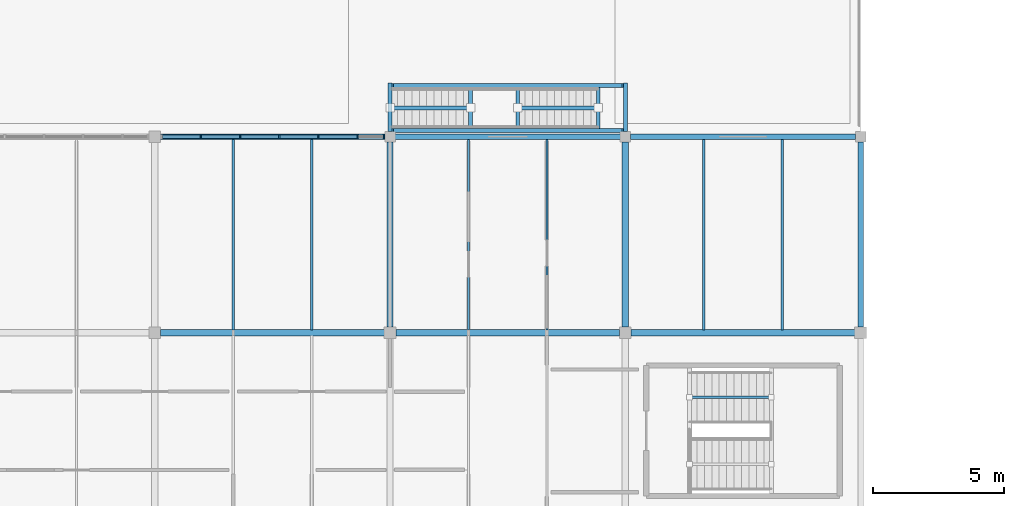
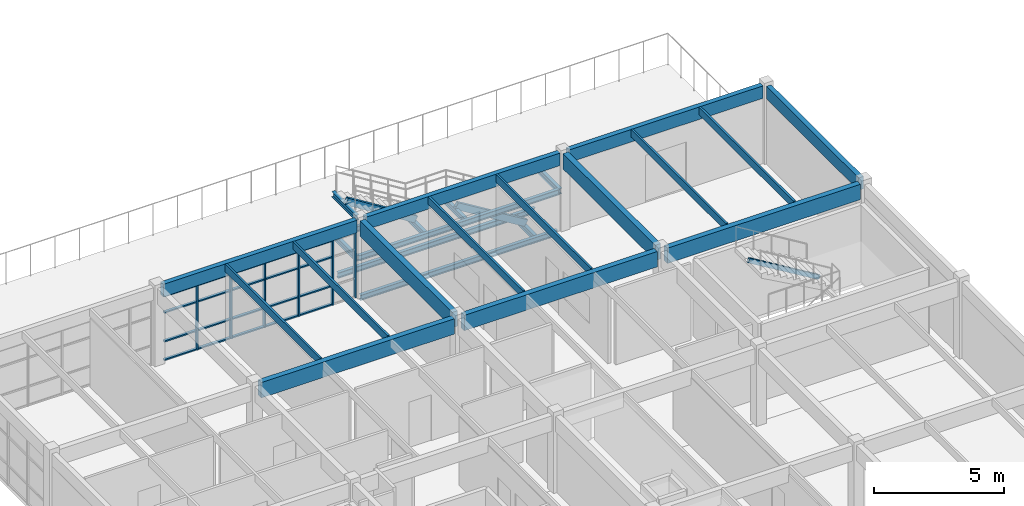
# One storey, part 20 of 45: 29 members, 25 beams, 1 element without a shape of its own.
"""IFC4 building model written with IfcOpenShell, lengths in metres."""

from ifc_helpers import new_model, si_unit, direction, frame, origin, origin_2d, place, context, subcontext, project, spatial, rectangle, hollow_rectangle, i_section, extrude, material, layer, layer_set, material_profile, profile_set, type_object, element, aggregate, save


model = new_model("IFC4")

# Units and contexts
model_context = context("Model", 3, precision=1e-05, world=origin(), true_north=direction((0.0, 1.0)))
body_context = subcontext(model_context, "Body", "Model", "MODEL_VIEW")
ifc_project = project(units=[si_unit("LENGTHUNIT", "METRE"), si_unit("AREAUNIT", "SQUARE_METRE"), si_unit("VOLUMEUNIT", "CUBIC_METRE"), si_unit("PLANEANGLEUNIT", "RADIAN"), si_unit("MASSUNIT", "GRAM", prefix="KILO")], contexts=[model_context])

# Site, building, storey
site_placement = place(None, origin())
site = spatial("IfcSite", under=ifc_project, at=site_placement, CompositionType="ELEMENT")
building_placement = place(site_placement, origin())
building = spatial("IfcBuilding", under=site, at=building_placement, Name="Marnridge Secondary College", CompositionType="ELEMENT")
storey_placement = place(building_placement, frame((0.0, 0.0, 12.300048828125)))
storey = spatial("IfcBuildingStorey", under=building, at=storey_placement, Name="L03", CompositionType="ELEMENT", Elevation=12.300048828125)

# Beams
ifc_material_1 = material(Name="Glulam timber GL18", Category="wood")
ifc_material_profile_1 = material_profile(ifc_material_1, rectangle(XDim=0.215087890625, YDim=0.5849609375, at=origin_2d()), Name="GL18 215x585")
ifc_profile_set_1 = profile_set([ifc_material_profile_1], Name="Glulam timber GL18")
beam_type_1 = type_object("IfcBeamType", Name="BM-GL585-EXT", PredefinedType="SPANDREL", material=ifc_profile_set_1)
beam_1_placement = place(storey_placement, frame((63.218994140625, 75.0, 3.347412109375), z_axis=(1.0, 0.0, 0.0), x_axis=(0.0, 1.0, 0.0)))
element("IfcBeam", 1, at=beam_1_placement, inside=storey, type_object=beam_type_1, Name="Beam BS-L03-1072", PredefinedType="SPANDREL", context=body_context, shape_type="SweptSolid", body=[
    extrude(rectangle(XDim=0.215087890625, YDim=0.5849609375, at=origin_2d()), origin(), (0.0, 0.0, 1.0), 8.5869140625),
])
for number, where, z_axis, x_axis, name in (
    (2, (72.194091796875, 75.0, 3.347412109375), (1.0, 0.0, 0.0), (0.0, 1.0, 0.0), "Beam BS-L03-1074"),
    (3, (81.194091796875, 75.0, 3.347412109375), (1.0, 0.0, 0.0), (0.0, 1.0, 0.0), "Beam BS-L03-1076"),
):
    element("IfcBeam", number, at=place(storey_placement, frame(where, z_axis=z_axis, x_axis=x_axis)), inside=storey, type_object=beam_type_1, Name=name, PredefinedType="SPANDREL", context=body_context, shape_type="SweptSolid", body=[
        extrude(rectangle(XDim=0.215087890625, YDim=0.5849609375, at=origin_2d()), origin(), (0.0, 0.0, 1.0), 8.61181640625),
    ])
beam_2_placement = place(storey_placement, frame((90.0, 67.718994140625, 3.347412109375), z_axis=(0.0, 1.0, 0.0), x_axis=(-1.0, 0.0, 0.0)))
element("IfcBeam", 4, at=beam_2_placement, inside=storey, type_object=beam_type_1, Name="Beam BS-L03-1077", PredefinedType="SPANDREL", context=body_context, shape_type="SweptSolid", body=[
    extrude(rectangle(XDim=0.215087890625, YDim=0.5849609375, at=origin_2d()), origin(), (0.0, 0.0, 1.0), 7.0869140625),
])
ifc_material_2 = material(Name="Glulam timber GL18", Category="wood")
ifc_material_profile_2 = material_profile(ifc_material_2, rectangle(XDim=0.239990234375, YDim=0.719970703125, at=origin_2d()), Name="GL18 240x720")
ifc_profile_set_2 = profile_set([ifc_material_profile_2], Name="Glulam timber GL18")
beam_type_2 = type_object("IfcBeamType", Name="BM-GL720-INT", PredefinedType="BEAM", material=ifc_profile_set_2)
for number, where, z_axis, x_axis, name in (
    (5, (63.218994140625, 67.5, 3.22998046875), (1.0, 0.0, 0.0), (0.0, 1.0, 0.0), "Beam B-L03-1052"),
    (6, (72.218994140625, 67.5, 3.22998046875), (1.0, 0.0, 0.0), (0.0, 1.0, 0.0), "Beam B-L03-1057"),
    (7, (81.218994140625, 67.5, 3.22998046875), (1.0, 0.0, 0.0), (0.0, 1.0, 0.0), "Beam B-L03-1062"),
):
    element("IfcBeam", number, at=place(storey_placement, frame(where, z_axis=z_axis, x_axis=x_axis)), inside=storey, type_object=beam_type_2, Name=name, PredefinedType="BEAM", context=body_context, shape_type="SweptSolid", body=[
        extrude(rectangle(XDim=0.239990234375, YDim=0.719970703125, at=origin_2d()), origin(), (0.0, 0.0, 1.0), 8.56201171875),
    ])
for number, where, z_axis, x_axis, name in (
    (8, (72.0, 67.718994140625, 3.280029296875), (0.0, 1.0, 0.0), (-1.0, 0.0, 0.0), "Beam B-L03-1073"),
    (9, (81.0, 67.718994140625, 3.280029296875), (0.0, 1.0, 0.0), (-1.0, 0.0, 0.0), "Beam B-L03-1075"),
):
    element("IfcBeam", number, at=place(storey_placement, frame(where, z_axis=z_axis, x_axis=x_axis)), inside=storey, type_object=beam_type_2, Name=name, PredefinedType="BEAM", context=body_context, shape_type="SweptSolid", body=[
        extrude(rectangle(XDim=0.239990234375, YDim=0.719970703125, at=origin_2d()), origin(), (0.0, 0.0, 1.0), 7.0869140625),
    ])
ifc_material_3 = material(Name="Engineered timber LVL E13.2", Category="wood")
ifc_material_profile_3 = material_profile(ifc_material_3, rectangle(XDim=0.090087890625, YDim=0.360107421875, at=origin_2d()), Name="LVL 90x360")
ifc_profile_set_3 = profile_set([ifc_material_profile_3], Name="Engineered timber LVL E13.2")
beam_type_3 = type_object("IfcBeamType", Name="BM-LVL360-INT", PredefinedType="JOIST", material=ifc_profile_set_3)
for number, where, z_axis, x_axis, name in (
    (10, (66.0, 67.614013671875, 3.4599609375), (0.0, 1.0, 0.0), (-1.0, 0.0, 0.0), "Beam BJ-L03-1099"),
    (11, (69.0, 67.614013671875, 3.4599609375), (0.0, 1.0, 0.0), (-1.0, 0.0, 0.0), "Beam BJ-L03-1100"),
    (12, (75.0, 67.614013671875, 3.4599609375), (0.0, 1.0, 0.0), (-1.0, 0.0, 0.0), "Beam BJ-L03-1101"),
    (13, (78.0, 67.614013671875, 3.4599609375), (0.0, 1.0, 0.0), (-1.0, 0.0, 0.0), "Beam BJ-L03-1102"),
    (14, (84.0, 67.614013671875, 3.4599609375), (0.0, 1.0, 0.0), (-1.0, 0.0, 0.0), "Beam BJ-L03-1103"),
    (15, (87.0, 67.614013671875, 3.4599609375), (0.0, 1.0, 0.0), (-1.0, 0.0, 0.0), "Beam BJ-L03-1104"),
):
    element("IfcBeam", number, at=place(storey_placement, frame(where, z_axis=z_axis, x_axis=x_axis)), inside=storey, type_object=beam_type_3, Name=name, PredefinedType="JOIST", context=body_context, shape_type="SweptSolid", body=[
        extrude(rectangle(XDim=0.090087890625, YDim=0.360107421875, at=origin_2d()), origin(), (0.0, 0.0, 1.0), 7.284423828125),
    ])
ifc_material_4 = material(Name="Structural steel Grade 350 (AS/NZS 3679.1/.2, fy = 340-360 MPa)", Category="steel")
ifc_material_profile_4 = material_profile(ifc_material_4, i_section(OverallWidth=0.146240234375, OverallDepth=0.256103515625, WebThickness=0.00634765625, FlangeThickness=0.010986328125, FilletRadius=0.0087890625, at=origin_2d()), Name="250UB37.3")
ifc_profile_set_4 = profile_set([ifc_material_profile_4], Name="Structural steel Grade 350 (AS/NZS 3679.1/.2, fy = 340-360 MPa)")
beam_type_4 = type_object("IfcBeamType", Name="BM-UB250-EXT", PredefinedType="LINTEL", material=ifc_profile_set_4)
for number, where, z_axis, x_axis, name in (
    (16, (72.0, 75.199462890625, 1.592041015625), (0.0, 1.0, 0.0), (-1.0, 0.0, 0.0), "Exterior stair outrigger bracket BZ-L03-073"),
    (17, (81.0, 75.199462890625, 1.592041015625), (0.0, 1.0, 0.0), (-1.0, 0.0, 0.0), "Exterior stair outrigger bracket BZ-L03-074"),
):
    element("IfcBeam", number, at=place(storey_placement, frame(where, z_axis=z_axis, x_axis=x_axis)), inside=storey, type_object=beam_type_4, Name=name, PredefinedType="LINTEL", context=body_context, shape_type="SweptSolid", body=[
        extrude(i_section(OverallWidth=0.146240234375, OverallDepth=0.256103515625, WebThickness=0.00634765625, FlangeThickness=0.010986328125, FilletRadius=0.0087890625, at=origin_2d()), origin(), (0.0, 0.0, 1.0), 1.8505859375),
    ])
for number, where, z_axis, x_axis, name in (
    (18, (72.072509765625, 75.239990234375, 1.592041015625), (1.0, 0.0, 0.0), (0.0, 1.0, 0.0), "Exterior stair landing beam BZ-L03-075"),
    (19, (72.072509765625, 76.9599609375, 1.592041015625), (1.0, 0.0, 0.0), (0.0, 1.0, 0.0), "Exterior stair landing beam BZ-L03-076"),
):
    element("IfcBeam", number, at=place(storey_placement, frame(where, z_axis=z_axis, x_axis=x_axis)), inside=storey, type_object=beam_type_4, Name=name, PredefinedType="LINTEL", context=body_context, shape_type="SweptSolid", body=[
        extrude(i_section(OverallWidth=0.146240234375, OverallDepth=0.256103515625, WebThickness=0.00634765625, FlangeThickness=0.010986328125, FilletRadius=0.0087890625, at=origin_2d()), origin(), (0.0, 0.0, 1.0), 8.85498046875),
    ])
for number, where, z_axis, x_axis, name in (
    (20, (76.8798828125, 75.3125, 1.592041015625), (0.0, 1.0, 0.0), (-1.0, 0.0, 0.0), "Exterior stair flight end trimmer BZ-L03-077"),
    (21, (75.080078125, 75.3125, 1.592041015625), (0.0, 1.0, 0.0), (-1.0, 0.0, 0.0), "Exterior stair flight end trimmer BZ-L03-078"),
):
    element("IfcBeam", number, at=place(storey_placement, frame(where, z_axis=z_axis, x_axis=x_axis)), inside=storey, type_object=beam_type_4, Name=name, PredefinedType="LINTEL", context=body_context, shape_type="SweptSolid", body=[
        extrude(i_section(OverallWidth=0.146240234375, OverallDepth=0.256103515625, WebThickness=0.00634765625, FlangeThickness=0.010986328125, FilletRadius=0.0087890625, at=origin_2d()), origin(), (0.0, 0.0, 1.0), 1.574951171875),
    ])
for number, where, z_axis, x_axis, name in (
    (22, (72.12939453125, 75.239990234375, -0.2880859375), (1.0, 0.0, 0.0), (0.0, 1.0, 0.0), "Exterior stair landing beam BZ-L03-079"),
    (23, (72.12939453125, 76.9599609375, -0.2880859375), (1.0, 0.0, 0.0), (0.0, 1.0, 0.0), "Exterior stair landing beam BZ-L03-080"),
):
    element("IfcBeam", number, at=place(storey_placement, frame(where, z_axis=z_axis, x_axis=x_axis)), inside=storey, type_object=beam_type_4, Name=name, PredefinedType="LINTEL", context=body_context, shape_type="SweptSolid", body=[
        extrude(i_section(OverallWidth=0.146240234375, OverallDepth=0.256103515625, WebThickness=0.00634765625, FlangeThickness=0.010986328125, FilletRadius=0.0087890625, at=origin_2d()), origin(), (0.0, 0.0, 1.0), 8.7412109375),
    ])
beam_3_placement = place(storey_placement, frame((79.9599609375, 75.3125, -0.2880859375), z_axis=(0.0, 1.0, 0.0), x_axis=(-1.0, 0.0, 0.0)))
element("IfcBeam", 24, at=beam_3_placement, inside=storey, type_object=beam_type_4, Name="Exterior stair flight end trimmer BZ-L03-081", PredefinedType="LINTEL", context=body_context, shape_type="SweptSolid", body=[
    extrude(i_section(OverallWidth=0.146240234375, OverallDepth=0.256103515625, WebThickness=0.00634765625, FlangeThickness=0.010986328125, FilletRadius=0.0087890625, at=origin_2d()), origin(), (0.0, 0.0, 1.0), 1.574951171875),
])
beam_4_placement = place(storey_placement, frame((72.0, 75.199462890625, 3.511962890625), z_axis=(0.0, 1.0, 0.0), x_axis=(-1.0, 0.0, 0.0)))
element("IfcBeam", 25, at=beam_4_placement, inside=storey, type_object=beam_type_4, Name="Exterior stair arrival outrigger BZ-L03-082", PredefinedType="LINTEL", context=body_context, shape_type="SweptSolid", body=[
    extrude(i_section(OverallWidth=0.146240234375, OverallDepth=0.256103515625, WebThickness=0.00634765625, FlangeThickness=0.010986328125, FilletRadius=0.0087890625, at=origin_2d()), origin(), (0.0, 0.0, 1.0), 1.8505859375),
])

# Curtain wall, members
ifc_material_5 = material(Name="Thermally broken aluminium and low-E glazing", Category="aluminium")
ifc_layer = layer(ifc_material_5, 0.159912109375)
ifc_layer_set = layer_set([ifc_layer], Name="CW-MOD-1500")
curtain_wall_type = type_object("IfcCurtainWallType", Name="CW-MOD-1500", PredefinedType="NOTDEFINED", material=ifc_layer_set)
curtain_wall_placement = place(storey_placement, origin())
curtain_wall = element("IfcCurtainWall", 26, at=curtain_wall_placement, inside=storey, type_object=curtain_wall_type, Name="Unitised curtain wall CW-L03-115", PredefinedType="NOTDEFINED")
ifc_material_6 = material(Name="Anodised aluminium 6063-T6", Category="aluminium")
ifc_material_profile_5 = material_profile(ifc_material_6, rectangle(XDim=0.06005859375, YDim=0.159912109375, at=origin_2d()), Name="ALU 60x160")
ifc_profile_set_5 = profile_set([ifc_material_profile_5], Name="Anodised aluminium 6063-T6")
member_type_1 = type_object("IfcMemberType", Name="CWM-ALU160", PredefinedType="MULLION", material=ifc_profile_set_5)
member_1_placement = place(storey_placement, frame((64.759033203125, 75.0, 0.0), z_axis=(0.0, 0.0, 1.0), x_axis=(1.0, 0.0, 0.0)))
member_1 = element("IfcMember", 27, at=member_1_placement, type_object=member_type_1, Name="CW-L03-115 mullion 2", PredefinedType="MULLION", context=body_context, shape_type="SweptSolid", body=[
    extrude(rectangle(XDim=0.06005859375, YDim=0.159912109375, at=origin_2d()), origin(), (0.0, 0.0, 1.0), 3.046875),
])
member_2_placement = place(storey_placement, frame((66.259033203125, 75.0, 0.0), z_axis=(0.0, 0.0, 1.0), x_axis=(1.0, 0.0, 0.0)))
member_2 = element("IfcMember", 28, at=member_2_placement, type_object=member_type_1, Name="CW-L03-115 mullion 3", PredefinedType="MULLION", context=body_context, shape_type="SweptSolid", body=[
    extrude(rectangle(XDim=0.06005859375, YDim=0.159912109375, at=origin_2d()), origin(), (0.0, 0.0, 1.0), 3.046875),
])
member_3_placement = place(storey_placement, frame((67.759033203125, 75.0, 0.0), z_axis=(0.0, 0.0, 1.0), x_axis=(1.0, 0.0, 0.0)))
member_3 = element("IfcMember", 29, at=member_3_placement, type_object=member_type_1, Name="CW-L03-115 mullion 4", PredefinedType="MULLION", context=body_context, shape_type="SweptSolid", body=[
    extrude(rectangle(XDim=0.06005859375, YDim=0.159912109375, at=origin_2d()), origin(), (0.0, 0.0, 1.0), 3.046875),
])
member_4_placement = place(storey_placement, frame((69.259033203125, 75.0, 0.0), z_axis=(0.0, 0.0, 1.0), x_axis=(1.0, 0.0, 0.0)))
member_4 = element("IfcMember", 30, at=member_4_placement, type_object=member_type_1, Name="CW-L03-115 mullion 5", PredefinedType="MULLION", context=body_context, shape_type="SweptSolid", body=[
    extrude(rectangle(XDim=0.06005859375, YDim=0.159912109375, at=origin_2d()), origin(), (0.0, 0.0, 1.0), 3.046875),
])
member_5_placement = place(storey_placement, frame((70.759033203125, 75.0, 0.0), z_axis=(0.0, 0.0, 1.0), x_axis=(1.0, 0.0, 0.0)))
member_5 = element("IfcMember", 31, at=member_5_placement, type_object=member_type_1, Name="CW-L03-115 mullion 6", PredefinedType="MULLION", context=body_context, shape_type="SweptSolid", body=[
    extrude(rectangle(XDim=0.06005859375, YDim=0.159912109375, at=origin_2d()), origin(), (0.0, 0.0, 1.0), 3.046875),
])
member_6_placement = place(storey_placement, frame((71.76611328125, 75.0, 0.0), z_axis=(0.0, 0.0, 1.0), x_axis=(1.0, 0.0, 0.0)))
member_6 = element("IfcMember", 32, at=member_6_placement, type_object=member_type_1, Name="CW-L03-115 mullion 7", PredefinedType="MULLION", context=body_context, shape_type="SweptSolid", body=[
    extrude(rectangle(XDim=0.06005859375, YDim=0.159912109375, at=origin_2d()), origin(), (0.0, 0.0, 1.0), 3.046875),
])
ifc_material_7 = material(Name="Anodised aluminium 6063-T6", Category="aluminium")
ifc_material_profile_6 = material_profile(ifc_material_7, rectangle(XDim=0.06005859375, YDim=0.1201171875, at=origin_2d()), Name="ALU 60x120")
ifc_profile_set_6 = profile_set([ifc_material_profile_6], Name="Anodised aluminium 6063-T6")
member_type_2 = type_object("IfcMemberType", Name="CWT-ALU120", PredefinedType="USERDEFINED", material=ifc_profile_set_6)
member_7_placement = place(storey_placement, frame((63.2890625, 75.0, 0.030029296875), z_axis=(1.0, 0.0, 0.0), x_axis=(0.0, 0.0, 1.0)))
member_7 = element("IfcMember", 33, at=member_7_placement, type_object=member_type_2, Name="CW-L03-115 transom 1.1", ObjectType="TRANSOM", PredefinedType="USERDEFINED", context=body_context, shape_type="SweptSolid", body=[
    extrude(rectangle(XDim=0.06005859375, YDim=0.1201171875, at=origin_2d()), origin(), (0.0, 0.0, 1.0), 1.43994140625),
])
member_8_placement = place(storey_placement, frame((63.2890625, 75.0, 0.89990234375), z_axis=(1.0, 0.0, 0.0), x_axis=(0.0, 0.0, 1.0)))
member_8 = element("IfcMember", 34, at=member_8_placement, type_object=member_type_2, Name="CW-L03-115 transom 1.2", ObjectType="TRANSOM", PredefinedType="USERDEFINED", context=body_context, shape_type="SweptSolid", body=[
    extrude(rectangle(XDim=0.06005859375, YDim=0.1201171875, at=origin_2d()), origin(), (0.0, 0.0, 1.0), 1.43994140625),
])
member_9_placement = place(storey_placement, frame((63.2890625, 75.0, 2.25), z_axis=(1.0, 0.0, 0.0), x_axis=(0.0, 0.0, 1.0)))
member_9 = element("IfcMember", 35, at=member_9_placement, type_object=member_type_2, Name="CW-L03-115 transom 1.3", ObjectType="TRANSOM", PredefinedType="USERDEFINED", context=body_context, shape_type="SweptSolid", body=[
    extrude(rectangle(XDim=0.06005859375, YDim=0.1201171875, at=origin_2d()), origin(), (0.0, 0.0, 1.0), 1.43994140625),
])
member_10_placement = place(storey_placement, frame((63.2890625, 75.0, 3.016845703125), z_axis=(1.0, 0.0, 0.0), x_axis=(0.0, 0.0, 1.0)))
member_10 = element("IfcMember", 36, at=member_10_placement, type_object=member_type_2, Name="CW-L03-115 transom 1.4", ObjectType="TRANSOM", PredefinedType="USERDEFINED", context=body_context, shape_type="SweptSolid", body=[
    extrude(rectangle(XDim=0.06005859375, YDim=0.1201171875, at=origin_2d()), origin(), (0.0, 0.0, 1.0), 1.43994140625),
])
member_11_placement = place(storey_placement, frame((64.7890625, 75.0, 0.030029296875), z_axis=(1.0, 0.0, 0.0), x_axis=(0.0, 0.0, 1.0)))
member_11 = element("IfcMember", 37, at=member_11_placement, type_object=member_type_2, Name="CW-L03-115 transom 2.1", ObjectType="TRANSOM", PredefinedType="USERDEFINED", context=body_context, shape_type="SweptSolid", body=[
    extrude(rectangle(XDim=0.06005859375, YDim=0.1201171875, at=origin_2d()), origin(), (0.0, 0.0, 1.0), 1.43994140625),
])
member_12_placement = place(storey_placement, frame((64.7890625, 75.0, 0.89990234375), z_axis=(1.0, 0.0, 0.0), x_axis=(0.0, 0.0, 1.0)))
member_12 = element("IfcMember", 38, at=member_12_placement, type_object=member_type_2, Name="CW-L03-115 transom 2.2", ObjectType="TRANSOM", PredefinedType="USERDEFINED", context=body_context, shape_type="SweptSolid", body=[
    extrude(rectangle(XDim=0.06005859375, YDim=0.1201171875, at=origin_2d()), origin(), (0.0, 0.0, 1.0), 1.43994140625),
])
member_13_placement = place(storey_placement, frame((64.7890625, 75.0, 2.25), z_axis=(1.0, 0.0, 0.0), x_axis=(0.0, 0.0, 1.0)))
member_13 = element("IfcMember", 39, at=member_13_placement, type_object=member_type_2, Name="CW-L03-115 transom 2.3", ObjectType="TRANSOM", PredefinedType="USERDEFINED", context=body_context, shape_type="SweptSolid", body=[
    extrude(rectangle(XDim=0.06005859375, YDim=0.1201171875, at=origin_2d()), origin(), (0.0, 0.0, 1.0), 1.43994140625),
])
member_14_placement = place(storey_placement, frame((64.7890625, 75.0, 3.016845703125), z_axis=(1.0, 0.0, 0.0), x_axis=(0.0, 0.0, 1.0)))
member_14 = element("IfcMember", 40, at=member_14_placement, type_object=member_type_2, Name="CW-L03-115 transom 2.4", ObjectType="TRANSOM", PredefinedType="USERDEFINED", context=body_context, shape_type="SweptSolid", body=[
    extrude(rectangle(XDim=0.06005859375, YDim=0.1201171875, at=origin_2d()), origin(), (0.0, 0.0, 1.0), 1.43994140625),
])
member_15_placement = place(storey_placement, frame((66.2890625, 75.0, 0.030029296875), z_axis=(1.0, 0.0, 0.0), x_axis=(0.0, 0.0, 1.0)))
member_15 = element("IfcMember", 41, at=member_15_placement, type_object=member_type_2, Name="CW-L03-115 transom 3.1", ObjectType="TRANSOM", PredefinedType="USERDEFINED", context=body_context, shape_type="SweptSolid", body=[
    extrude(rectangle(XDim=0.06005859375, YDim=0.1201171875, at=origin_2d()), origin(), (0.0, 0.0, 1.0), 1.43994140625),
])
member_16_placement = place(storey_placement, frame((66.2890625, 75.0, 0.89990234375), z_axis=(1.0, 0.0, 0.0), x_axis=(0.0, 0.0, 1.0)))
member_16 = element("IfcMember", 42, at=member_16_placement, type_object=member_type_2, Name="CW-L03-115 transom 3.2", ObjectType="TRANSOM", PredefinedType="USERDEFINED", context=body_context, shape_type="SweptSolid", body=[
    extrude(rectangle(XDim=0.06005859375, YDim=0.1201171875, at=origin_2d()), origin(), (0.0, 0.0, 1.0), 1.43994140625),
])
member_17_placement = place(storey_placement, frame((66.2890625, 75.0, 2.25), z_axis=(1.0, 0.0, 0.0), x_axis=(0.0, 0.0, 1.0)))
member_17 = element("IfcMember", 43, at=member_17_placement, type_object=member_type_2, Name="CW-L03-115 transom 3.3", ObjectType="TRANSOM", PredefinedType="USERDEFINED", context=body_context, shape_type="SweptSolid", body=[
    extrude(rectangle(XDim=0.06005859375, YDim=0.1201171875, at=origin_2d()), origin(), (0.0, 0.0, 1.0), 1.43994140625),
])
member_18_placement = place(storey_placement, frame((66.2890625, 75.0, 3.016845703125), z_axis=(1.0, 0.0, 0.0), x_axis=(0.0, 0.0, 1.0)))
member_18 = element("IfcMember", 44, at=member_18_placement, type_object=member_type_2, Name="CW-L03-115 transom 3.4", ObjectType="TRANSOM", PredefinedType="USERDEFINED", context=body_context, shape_type="SweptSolid", body=[
    extrude(rectangle(XDim=0.06005859375, YDim=0.1201171875, at=origin_2d()), origin(), (0.0, 0.0, 1.0), 1.43994140625),
])
member_19_placement = place(storey_placement, frame((67.7890625, 75.0, 0.030029296875), z_axis=(1.0, 0.0, 0.0), x_axis=(0.0, 0.0, 1.0)))
member_19 = element("IfcMember", 45, at=member_19_placement, type_object=member_type_2, Name="CW-L03-115 transom 4.1", ObjectType="TRANSOM", PredefinedType="USERDEFINED", context=body_context, shape_type="SweptSolid", body=[
    extrude(rectangle(XDim=0.06005859375, YDim=0.1201171875, at=origin_2d()), origin(), (0.0, 0.0, 1.0), 1.43994140625),
])
member_20_placement = place(storey_placement, frame((67.7890625, 75.0, 0.89990234375), z_axis=(1.0, 0.0, 0.0), x_axis=(0.0, 0.0, 1.0)))
member_20 = element("IfcMember", 46, at=member_20_placement, type_object=member_type_2, Name="CW-L03-115 transom 4.2", ObjectType="TRANSOM", PredefinedType="USERDEFINED", context=body_context, shape_type="SweptSolid", body=[
    extrude(rectangle(XDim=0.06005859375, YDim=0.1201171875, at=origin_2d()), origin(), (0.0, 0.0, 1.0), 1.43994140625),
])
member_21_placement = place(storey_placement, frame((67.7890625, 75.0, 2.25), z_axis=(1.0, 0.0, 0.0), x_axis=(0.0, 0.0, 1.0)))
member_21 = element("IfcMember", 47, at=member_21_placement, type_object=member_type_2, Name="CW-L03-115 transom 4.3", ObjectType="TRANSOM", PredefinedType="USERDEFINED", context=body_context, shape_type="SweptSolid", body=[
    extrude(rectangle(XDim=0.06005859375, YDim=0.1201171875, at=origin_2d()), origin(), (0.0, 0.0, 1.0), 1.43994140625),
])
member_22_placement = place(storey_placement, frame((67.7890625, 75.0, 3.016845703125), z_axis=(1.0, 0.0, 0.0), x_axis=(0.0, 0.0, 1.0)))
member_22 = element("IfcMember", 48, at=member_22_placement, type_object=member_type_2, Name="CW-L03-115 transom 4.4", ObjectType="TRANSOM", PredefinedType="USERDEFINED", context=body_context, shape_type="SweptSolid", body=[
    extrude(rectangle(XDim=0.06005859375, YDim=0.1201171875, at=origin_2d()), origin(), (0.0, 0.0, 1.0), 1.43994140625),
])
member_23_placement = place(storey_placement, frame((69.2890625, 75.0, 0.030029296875), z_axis=(1.0, 0.0, 0.0), x_axis=(0.0, 0.0, 1.0)))
member_23 = element("IfcMember", 49, at=member_23_placement, type_object=member_type_2, Name="CW-L03-115 transom 5.1", ObjectType="TRANSOM", PredefinedType="USERDEFINED", context=body_context, shape_type="SweptSolid", body=[
    extrude(rectangle(XDim=0.06005859375, YDim=0.1201171875, at=origin_2d()), origin(), (0.0, 0.0, 1.0), 1.43994140625),
])
member_24_placement = place(storey_placement, frame((69.2890625, 75.0, 0.89990234375), z_axis=(1.0, 0.0, 0.0), x_axis=(0.0, 0.0, 1.0)))
member_24 = element("IfcMember", 50, at=member_24_placement, type_object=member_type_2, Name="CW-L03-115 transom 5.2", ObjectType="TRANSOM", PredefinedType="USERDEFINED", context=body_context, shape_type="SweptSolid", body=[
    extrude(rectangle(XDim=0.06005859375, YDim=0.1201171875, at=origin_2d()), origin(), (0.0, 0.0, 1.0), 1.43994140625),
])
member_25_placement = place(storey_placement, frame((69.2890625, 75.0, 2.25), z_axis=(1.0, 0.0, 0.0), x_axis=(0.0, 0.0, 1.0)))
member_25 = element("IfcMember", 51, at=member_25_placement, type_object=member_type_2, Name="CW-L03-115 transom 5.3", ObjectType="TRANSOM", PredefinedType="USERDEFINED", context=body_context, shape_type="SweptSolid", body=[
    extrude(rectangle(XDim=0.06005859375, YDim=0.1201171875, at=origin_2d()), origin(), (0.0, 0.0, 1.0), 1.43994140625),
])
member_26_placement = place(storey_placement, frame((69.2890625, 75.0, 3.016845703125), z_axis=(1.0, 0.0, 0.0), x_axis=(0.0, 0.0, 1.0)))
member_26 = element("IfcMember", 52, at=member_26_placement, type_object=member_type_2, Name="CW-L03-115 transom 5.4", ObjectType="TRANSOM", PredefinedType="USERDEFINED", context=body_context, shape_type="SweptSolid", body=[
    extrude(rectangle(XDim=0.06005859375, YDim=0.1201171875, at=origin_2d()), origin(), (0.0, 0.0, 1.0), 1.43994140625),
])
aggregate(curtain_wall, [member_1, member_2, member_3, member_4, member_5, member_6, member_7, member_8, member_9, member_10, member_11, member_12, member_13, member_14, member_15, member_16, member_17, member_18, member_19, member_20, member_21, member_22, member_23, member_24, member_25, member_26])

# Members
ifc_material_8 = material(Name="Cold-formed steel Grade C350L0 (AS/NZS 1163, fy = 350 MPa)", Category="steel")
ifc_material_profile_7 = material_profile(ifc_material_8, hollow_rectangle(XDim=0.10009765625, YDim=0.199951171875, WallThickness=0.006103515625, at=origin_2d()), Name="200x100x6.0RHS")
ifc_profile_set_7 = profile_set([ifc_material_profile_7], Name="Cold-formed steel Grade C350L0 (AS/NZS 1163, fy = 350 MPa)")
member_type_3 = type_object("IfcMemberType", Name="MB-STR-RHS200", PredefinedType="STRINGER", material=ifc_profile_set_7)
member_27_placement = place(storey_placement, frame((86.5849609375, 65.030029296875, 1.7919921875), z_axis=(-0.856420037576, 0.0, 0.516279690902), x_axis=(0.0, -1.0, 0.0)))
element("IfcMember", 53, at=member_27_placement, inside=storey, type_object=member_type_3, Name="Stair stringer STR-018", PredefinedType="STRINGER", context=body_context, shape_type="SweptSolid", body=[
    extrude(hollow_rectangle(XDim=0.10009765625, YDim=0.199951171875, WallThickness=0.006103515625, at=origin_2d()), origin(), (0.0, 0.0, 1.0), 3.66064453125),
])
ifc_material_9 = material(Name="Cold-formed steel Grade C350L0 (AS/NZS 1163, fy = 350 MPa)", Category="steel")
ifc_material_profile_8 = material_profile(ifc_material_9, hollow_rectangle(XDim=0.14990234375, YDim=0.300048828125, WallThickness=0.008056640625, at=origin_2d()), Name="300x150x8.0RHS")
ifc_profile_set_8 = profile_set([ifc_material_profile_8], Name="Cold-formed steel Grade C350L0 (AS/NZS 1163, fy = 350 MPa)")
member_type_4 = type_object("IfcMemberType", Name="MB-STR-RHS300", PredefinedType="STRINGER", material=ifc_profile_set_8)
member_28_placement = place(storey_placement, frame((79.9599609375, 76.10009765625, -0.0400390625), z_axis=(-0.853576048954, 0.0, 0.520968260696), x_axis=(0.0, -1.0, 0.0)))
element("IfcMember", 54, at=member_28_placement, inside=storey, type_object=member_type_4, Name="Exterior stair stringer STR-063", PredefinedType="STRINGER", context=body_context, shape_type="SweptSolid", body=[
    extrude(hollow_rectangle(XDim=0.14990234375, YDim=0.300048828125, WallThickness=0.008056640625, at=origin_2d()), origin(), (0.0, 0.0, 1.0), 3.6083984375),
])
member_29_placement = place(storey_placement, frame((75.080078125, 76.10009765625, 1.83984375), z_axis=(-0.848602372252, 0.0, 0.529031203057), x_axis=(0.0, -1.0, 0.0)))
element("IfcMember", 55, at=member_29_placement, inside=storey, type_object=member_type_4, Name="Exterior stair stringer STR-064", PredefinedType="STRINGER", context=body_context, shape_type="SweptSolid", body=[
    extrude(hollow_rectangle(XDim=0.14990234375, YDim=0.300048828125, WallThickness=0.008056640625, at=origin_2d()), origin(), (0.0, 0.0, 1.0), 3.629638671875),
])

save(model, "model.ifc")
